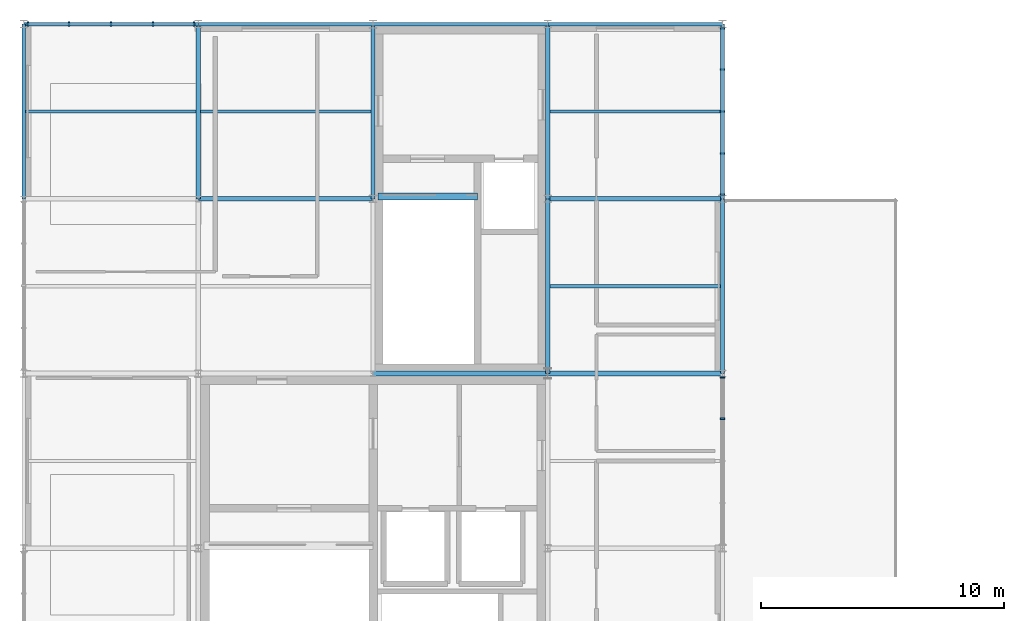
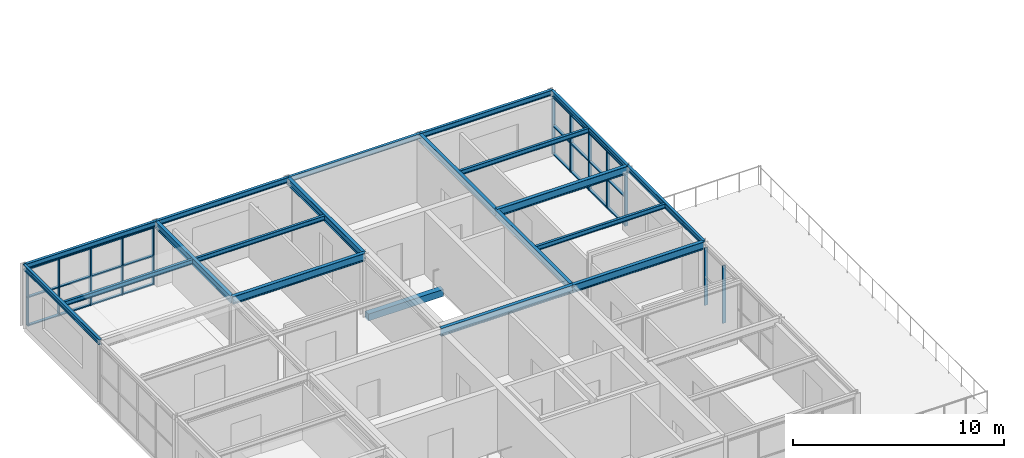
# One storey, part 5 of 12: 20 beams, 18 members, 3 elements without a shape of their own.
"""IFC4 building model written with IfcOpenShell, lengths in metres."""

from ifc_helpers import new_model, si_unit, direction, frame, origin, origin_2d, place, context, subcontext, project, spatial, rectangle, i_section, extrude, material, material_profile, profile_set, type_object, element, aggregate, save


model = new_model("IFC4")

# Units and contexts
model_context = context("Model", 3, precision=1e-05, world=origin(), true_north=direction((0.0, 1.0)))
body_context = subcontext(model_context, "Body", "Model", "MODEL_VIEW")
ifc_project = project(units=[si_unit("LENGTHUNIT", "METRE"), si_unit("AREAUNIT", "SQUARE_METRE"), si_unit("VOLUMEUNIT", "CUBIC_METRE"), si_unit("PLANEANGLEUNIT", "RADIAN"), si_unit("MASSUNIT", "GRAM", prefix="KILO")], contexts=[model_context])

# Site, building, storey
site_placement = place(None, origin())
site = spatial("IfcSite", under=ifc_project, at=site_placement, CompositionType="ELEMENT")
building_placement = place(site_placement, origin())
building = spatial("IfcBuilding", under=site, at=building_placement, Name="Leyfeld Transit Interchange", CompositionType="ELEMENT")
storey_placement = place(building_placement, frame((0.0, 0.0, 21.60009765625)))
storey = spatial("IfcBuildingStorey", under=building, at=storey_placement, Name="L05", CompositionType="ELEMENT", Elevation=21.60009765625)

# Beams
ifc_material_1 = material(Name="Concrete C35/45", Category="concrete")
ifc_material_profile_1 = material_profile(ifc_material_1, rectangle(XDim=0.300048828125, YDim=0.39990234375, at=origin_2d()), Name="RC 400x300")
ifc_profile_set_1 = profile_set([ifc_material_profile_1], Name="Concrete C35/45")
beam_type_1 = type_object("IfcBeamType", Name="BM-RC-400x300", PredefinedType="LINTEL", material=ifc_profile_set_1)
beam_1_placement = place(storey_placement, frame((14.60009765625, 115.300048828125, -0.2001953125), z_axis=(1.0, 0.0, 0.0), x_axis=(0.0, 1.0, 0.0)))
element("IfcBeam", 1, at=beam_1_placement, inside=storey, type_object=beam_type_1, Name="Core K2 Floor Landing Corbel L05", PredefinedType="LINTEL", context=body_context, shape_type="SweptSolid", body=[
    extrude(rectangle(XDim=0.300048828125, YDim=0.39990234375, at=origin_2d()), origin(), (0.0, 0.0, 1.0), 4.099853515625),
])
ifc_material_2 = material(Name="Steel S355J2", Category="steel")
ifc_material_profile_2 = material_profile(ifc_material_2, i_section(OverallWidth=0.135009765625, OverallDepth=0.27001953125, WebThickness=0.006591796875, FlangeThickness=0.01025390625, FilletRadius=0.014892578125, at=origin_2d()), Name="IPE 270")
ifc_profile_set_2 = profile_set([ifc_material_profile_2], Name="Steel S355J2")
beam_type_2 = type_object("IfcBeamType", Name="BM-STL-IPE270", PredefinedType="BEAM", material=ifc_profile_set_2)
for number, where, z_axis, x_axis, name in (
    (2, (21.68701171875, 111.60009765625, 3.48486328125), (1.0, 0.0, 0.0), (0.0, 1.0, 0.0), "Beam BM-L05-0217_1116-0287_1116"),
    (3, (0.072021484375, 118.800048828125, 3.48486328125), (1.0, 0.0, 0.0), (0.0, 1.0, 0.0), "Beam BM-L05-0001_1188-0071_1188"),
):
    element("IfcBeam", number, at=place(storey_placement, frame(where, z_axis=z_axis, x_axis=x_axis)), inside=storey, type_object=beam_type_2, Name=name, PredefinedType="BEAM", context=body_context, shape_type="SweptSolid", body=[
        extrude(i_section(OverallWidth=0.135009765625, OverallDepth=0.27001953125, WebThickness=0.006591796875, FlangeThickness=0.01025390625, FilletRadius=0.014892578125, at=origin_2d()), origin(), (0.0, 0.0, 1.0), 7.041015625),
    ])
beam_2_placement = place(storey_placement, frame((7.287109375, 118.800048828125, 3.48486328125), z_axis=(1.0, 0.0, 0.0), x_axis=(0.0, 1.0, 0.0)))
element("IfcBeam", 4, at=beam_2_placement, inside=storey, type_object=beam_type_2, Name="Beam BM-L05-0073_1188-0143_1188", PredefinedType="BEAM", context=body_context, shape_type="SweptSolid", body=[
    extrude(i_section(OverallWidth=0.135009765625, OverallDepth=0.27001953125, WebThickness=0.006591796875, FlangeThickness=0.01025390625, FilletRadius=0.014892578125, at=origin_2d()), origin(), (0.0, 0.0, 1.0), 7.02587890625),
])
beam_3_placement = place(storey_placement, frame((21.68701171875, 118.800048828125, 3.48486328125), z_axis=(1.0, 0.0, 0.0), x_axis=(0.0, 1.0, 0.0)))
element("IfcBeam", 5, at=beam_3_placement, inside=storey, type_object=beam_type_2, Name="Beam BM-L05-0217_1188-0287_1188", PredefinedType="BEAM", context=body_context, shape_type="SweptSolid", body=[
    extrude(i_section(OverallWidth=0.135009765625, OverallDepth=0.27001953125, WebThickness=0.006591796875, FlangeThickness=0.01025390625, FilletRadius=0.014892578125, at=origin_2d()), origin(), (0.0, 0.0, 1.0), 7.041015625),
])
ifc_material_profile_3 = material_profile(ifc_material_2, i_section(OverallWidth=0.14990234375, OverallDepth=0.300048828125, WebThickness=0.007080078125, FlangeThickness=0.0107421875, FilletRadius=0.014892578125, at=origin_2d()), Name="IPE 300")
ifc_profile_set_3 = profile_set([ifc_material_profile_3], Name="Steel S355J2")
beam_type_3 = type_object("IfcBeamType", Name="BM-STL-IPE300", PredefinedType="SPANDREL", material=ifc_profile_set_3)
for number, where, z_axis, x_axis, name in (
    (6, (0.0, 115.199951171875, 3.469970703125), (0.0, 1.0, 0.0), (-1.0, 0.0, 0.0), "Beam BM-L05-0000_1152-0000_1224"),
    (7, (28.800048828125, 108.0, 3.469970703125), (0.0, 1.0, 0.0), (-1.0, 0.0, 0.0), "Beam BM-L05-0288_1080-0288_1152"),
    (8, (28.800048828125, 115.199951171875, 3.469970703125), (0.0, 1.0, 0.0), (-1.0, 0.0, 0.0), "Beam BM-L05-0288_1152-0288_1224"),
    (9, (0.0, 122.39990234375, 3.469970703125), (1.0, 0.0, 0.0), (0.0, 1.0, 0.0), "Beam BM-L05-0000_1224-0072_1224"),
    (10, (7.199951171875, 122.39990234375, 3.469970703125), (1.0, 0.0, 0.0), (0.0, 1.0, 0.0), "Beam BM-L05-0072_1224-0144_1224"),
):
    element("IfcBeam", number, at=place(storey_placement, frame(where, z_axis=z_axis, x_axis=x_axis)), inside=storey, type_object=beam_type_3, Name=name, PredefinedType="SPANDREL", context=body_context, shape_type="SweptSolid", body=[
        extrude(i_section(OverallWidth=0.14990234375, OverallDepth=0.300048828125, WebThickness=0.007080078125, FlangeThickness=0.0107421875, FilletRadius=0.014892578125, at=origin_2d()), origin(), (0.0, 0.0, 1.0), 7.199951171875),
    ])
beam_4_placement = place(storey_placement, frame((14.39990234375, 122.39990234375, 3.469970703125), z_axis=(1.0, 0.0, 0.0), x_axis=(0.0, 1.0, 0.0)))
element("IfcBeam", 11, at=beam_4_placement, inside=storey, type_object=beam_type_3, Name="Beam BM-L05-0144_1224-0216_1224", PredefinedType="SPANDREL", context=body_context, shape_type="SweptSolid", body=[
    extrude(i_section(OverallWidth=0.14990234375, OverallDepth=0.300048828125, WebThickness=0.007080078125, FlangeThickness=0.0107421875, FilletRadius=0.014892578125, at=origin_2d()), origin(), (0.0, 0.0, 1.0), 7.2001953125),
])
beam_5_placement = place(storey_placement, frame((21.60009765625, 122.39990234375, 3.469970703125), z_axis=(1.0, 0.0, 0.0), x_axis=(0.0, 1.0, 0.0)))
element("IfcBeam", 12, at=beam_5_placement, inside=storey, type_object=beam_type_3, Name="Beam BM-L05-0216_1224-0288_1224", PredefinedType="SPANDREL", context=body_context, shape_type="SweptSolid", body=[
    extrude(i_section(OverallWidth=0.14990234375, OverallDepth=0.300048828125, WebThickness=0.007080078125, FlangeThickness=0.0107421875, FilletRadius=0.014892578125, at=origin_2d()), origin(), (0.0, 0.0, 1.0), 7.199951171875),
])
ifc_material_profile_4 = material_profile(ifc_material_2, i_section(OverallWidth=0.179931640625, OverallDepth=0.39990234375, WebThickness=0.008544921875, FlangeThickness=0.013427734375, FilletRadius=0.02099609375, at=origin_2d()), Name="IPE 400")
ifc_profile_set_4 = profile_set([ifc_material_profile_4], Name="Steel S355J2")
beam_type_4 = type_object("IfcBeamType", Name="BM-STL-IPE400", PredefinedType="BEAM", material=ifc_profile_set_4)
for number, where, z_axis, x_axis, name in (
    (13, (7.199951171875, 115.199951171875, 3.419921875), (0.0, 1.0, 0.0), (-1.0, 0.0, 0.0), "Beam BM-L05-0072_1152-0072_1224"),
    (14, (14.39990234375, 115.199951171875, 3.419921875), (0.0, 1.0, 0.0), (-1.0, 0.0, 0.0), "Beam BM-L05-0144_1152-0144_1224"),
    (15, (21.60009765625, 108.0, 3.419921875), (0.0, 1.0, 0.0), (-1.0, 0.0, 0.0), "Beam BM-L05-0216_1080-0216_1152"),
    (16, (21.60009765625, 115.199951171875, 3.419921875), (0.0, 1.0, 0.0), (-1.0, 0.0, 0.0), "Beam BM-L05-0216_1152-0216_1224"),
):
    element("IfcBeam", number, at=place(storey_placement, frame(where, z_axis=z_axis, x_axis=x_axis)), inside=storey, type_object=beam_type_4, Name=name, PredefinedType="BEAM", context=body_context, shape_type="SweptSolid", body=[
        extrude(i_section(OverallWidth=0.179931640625, OverallDepth=0.39990234375, WebThickness=0.008544921875, FlangeThickness=0.013427734375, FilletRadius=0.02099609375, at=origin_2d()), origin(), (0.0, 0.0, 1.0), 7.199951171875),
    ])
ifc_material_profile_5 = material_profile(ifc_material_2, i_section(OverallWidth=0.18994140625, OverallDepth=0.449951171875, WebThickness=0.009521484375, FlangeThickness=0.0146484375, FilletRadius=0.02099609375, at=origin_2d()), Name="IPE 450")
ifc_profile_set_5 = profile_set([ifc_material_profile_5], Name="Steel S355J2")
beam_type_5 = type_object("IfcBeamType", Name="BM-STL-IPE450", PredefinedType="BEAM", material=ifc_profile_set_5)
beam_6_placement = place(storey_placement, frame((14.39990234375, 108.0, 3.39501953125), z_axis=(1.0, 0.0, 0.0), x_axis=(0.0, 1.0, 0.0)))
element("IfcBeam", 17, at=beam_6_placement, inside=storey, type_object=beam_type_5, Name="Beam BM-L05-0144_1080-0216_1080", PredefinedType="BEAM", context=body_context, shape_type="SweptSolid", body=[
    extrude(i_section(OverallWidth=0.18994140625, OverallDepth=0.449951171875, WebThickness=0.009521484375, FlangeThickness=0.0146484375, FilletRadius=0.02099609375, at=origin_2d()), origin(), (0.0, 0.0, 1.0), 7.2001953125),
])
for number, where, z_axis, x_axis, name in (
    (18, (21.60009765625, 108.0, 3.39501953125), (1.0, 0.0, 0.0), (0.0, 1.0, 0.0), "Beam BM-L05-0216_1080-0288_1080"),
    (19, (7.199951171875, 115.199951171875, 3.39501953125), (1.0, 0.0, 0.0), (0.0, 1.0, 0.0), "Beam BM-L05-0072_1152-0144_1152"),
    (20, (21.60009765625, 115.199951171875, 3.39501953125), (1.0, 0.0, 0.0), (0.0, 1.0, 0.0), "Beam BM-L05-0216_1152-0288_1152"),
):
    element("IfcBeam", number, at=place(storey_placement, frame(where, z_axis=z_axis, x_axis=x_axis)), inside=storey, type_object=beam_type_5, Name=name, PredefinedType="BEAM", context=body_context, shape_type="SweptSolid", body=[
        extrude(i_section(OverallWidth=0.18994140625, OverallDepth=0.449951171875, WebThickness=0.009521484375, FlangeThickness=0.0146484375, FilletRadius=0.02099609375, at=origin_2d()), origin(), (0.0, 0.0, 1.0), 7.199951171875),
    ])

# Curtain wall, members
ifc_material_3 = material(Name="Anodised aluminium EN AW-6060 T66", Category="aluminium")
curtain_wall_type = type_object("IfcCurtainWallType", Name="CW-SYS-OPS-7200", PredefinedType="NOTDEFINED", material=ifc_material_3)
curtain_wall_1_placement = place(storey_placement, origin())
curtain_wall_1 = element("IfcCurtainWall", 21, at=curtain_wall_1_placement, inside=storey, type_object=curtain_wall_type, Name="Curtain Wall CW-L05-147", PredefinedType="NOTDEFINED")
ifc_material_profile_6 = material_profile(ifc_material_3, rectangle(XDim=0.06494140625, YDim=0.179931640625, at=origin_2d()), Name="CW-M 65x180")
ifc_profile_set_6 = profile_set([ifc_material_profile_6], Name="Anodised aluminium EN AW-6060 T66")
member_type_1 = type_object("IfcMemberType", Name="CW-MUL-150x65", PredefinedType="MULLION", material=ifc_profile_set_6)
member_1_placement = place(storey_placement, frame((0.172607421875, 122.39990234375, 0.0), z_axis=(0.0, 0.0, 1.0), x_axis=(1.0, 0.0, 0.0)))
member_1 = element("IfcMember", 22, at=member_1_placement, type_object=member_type_1, Name="Curtain Mullion CW-L05-147-M01", PredefinedType="MULLION", context=body_context, shape_type="SweptSolid", body=[
    extrude(rectangle(XDim=0.06494140625, YDim=0.179931640625, at=origin_2d()), origin(), (0.0, 0.0, 1.0), 3.31982421875),
])
member_2_placement = place(storey_placement, frame((1.8701171875, 122.39990234375, 0.0), z_axis=(0.0, 0.0, 1.0), x_axis=(1.0, 0.0, 0.0)))
member_2 = element("IfcMember", 23, at=member_2_placement, type_object=member_type_1, Name="Curtain Mullion CW-L05-147-M02", PredefinedType="MULLION", context=body_context, shape_type="SweptSolid", body=[
    extrude(rectangle(XDim=0.06494140625, YDim=0.179931640625, at=origin_2d()), origin(), (0.0, 0.0, 1.0), 3.31982421875),
])
member_3_placement = place(storey_placement, frame((3.60009765625, 122.39990234375, 0.0), z_axis=(0.0, 0.0, 1.0), x_axis=(1.0, 0.0, 0.0)))
member_3 = element("IfcMember", 24, at=member_3_placement, type_object=member_type_1, Name="Curtain Mullion CW-L05-147-M03", PredefinedType="MULLION", context=body_context, shape_type="SweptSolid", body=[
    extrude(rectangle(XDim=0.06494140625, YDim=0.179931640625, at=origin_2d()), origin(), (0.0, 0.0, 1.0), 3.31982421875),
])
member_4_placement = place(storey_placement, frame((5.330078125, 122.39990234375, 0.0), z_axis=(0.0, 0.0, 1.0), x_axis=(1.0, 0.0, 0.0)))
member_4 = element("IfcMember", 25, at=member_4_placement, type_object=member_type_1, Name="Curtain Mullion CW-L05-147-M04", PredefinedType="MULLION", context=body_context, shape_type="SweptSolid", body=[
    extrude(rectangle(XDim=0.06494140625, YDim=0.179931640625, at=origin_2d()), origin(), (0.0, 0.0, 1.0), 3.31982421875),
])
member_5_placement = place(storey_placement, frame((7.027587890625, 122.39990234375, 0.0), z_axis=(0.0, 0.0, 1.0), x_axis=(1.0, 0.0, 0.0)))
member_5 = element("IfcMember", 26, at=member_5_placement, type_object=member_type_1, Name="Curtain Mullion CW-L05-147-M05", PredefinedType="MULLION", context=body_context, shape_type="SweptSolid", body=[
    extrude(rectangle(XDim=0.06494140625, YDim=0.179931640625, at=origin_2d()), origin(), (0.0, 0.0, 1.0), 3.31982421875),
])

curtain_wall_2_placement = place(storey_placement, origin())
curtain_wall_2 = element("IfcCurtainWall", 27, at=curtain_wall_2_placement, inside=storey, type_object=curtain_wall_type, Name="Curtain Wall CW-L05-148", PredefinedType="NOTDEFINED")
member_6_placement = place(storey_placement, frame((28.800048828125, 122.2275390625, 0.0), z_axis=(0.0, 0.0, 1.0), x_axis=(0.0, -1.0, 0.0)))
member_6 = element("IfcMember", 28, at=member_6_placement, type_object=member_type_1, Name="Curtain Mullion CW-L05-148-M01", PredefinedType="MULLION", context=body_context, shape_type="SweptSolid", body=[
    extrude(rectangle(XDim=0.06494140625, YDim=0.179931640625, at=origin_2d()), origin(), (0.0, 0.0, 1.0), 3.31982421875),
])
member_7_placement = place(storey_placement, frame((28.800048828125, 120.530029296875, 0.0), z_axis=(0.0, 0.0, 1.0), x_axis=(0.0, -1.0, 0.0)))
member_7 = element("IfcMember", 29, at=member_7_placement, type_object=member_type_1, Name="Curtain Mullion CW-L05-148-M02", PredefinedType="MULLION", context=body_context, shape_type="SweptSolid", body=[
    extrude(rectangle(XDim=0.06494140625, YDim=0.179931640625, at=origin_2d()), origin(), (0.0, 0.0, 1.0), 3.31982421875),
])
member_8_placement = place(storey_placement, frame((28.800048828125, 118.800048828125, 0.0), z_axis=(0.0, 0.0, 1.0), x_axis=(0.0, -1.0, 0.0)))
member_8 = element("IfcMember", 30, at=member_8_placement, type_object=member_type_1, Name="Curtain Mullion CW-L05-148-M03", PredefinedType="MULLION", context=body_context, shape_type="SweptSolid", body=[
    extrude(rectangle(XDim=0.06494140625, YDim=0.179931640625, at=origin_2d()), origin(), (0.0, 0.0, 1.0), 3.31982421875),
])
member_9_placement = place(storey_placement, frame((28.800048828125, 117.070068359375, 0.0), z_axis=(0.0, 0.0, 1.0), x_axis=(0.0, -1.0, 0.0)))
member_9 = element("IfcMember", 31, at=member_9_placement, type_object=member_type_1, Name="Curtain Mullion CW-L05-148-M04", PredefinedType="MULLION", context=body_context, shape_type="SweptSolid", body=[
    extrude(rectangle(XDim=0.06494140625, YDim=0.179931640625, at=origin_2d()), origin(), (0.0, 0.0, 1.0), 3.31982421875),
])
member_10_placement = place(storey_placement, frame((28.800048828125, 115.37255859375, 0.0), z_axis=(0.0, 0.0, 1.0), x_axis=(0.0, -1.0, 0.0)))
member_10 = element("IfcMember", 32, at=member_10_placement, type_object=member_type_1, Name="Curtain Mullion CW-L05-148-M05", PredefinedType="MULLION", context=body_context, shape_type="SweptSolid", body=[
    extrude(rectangle(XDim=0.06494140625, YDim=0.179931640625, at=origin_2d()), origin(), (0.0, 0.0, 1.0), 3.31982421875),
])

curtain_wall_3_placement = place(storey_placement, origin())
curtain_wall_3 = element("IfcCurtainWall", 33, at=curtain_wall_3_placement, inside=storey, type_object=curtain_wall_type, Name="Curtain Wall CW-L05-149", PredefinedType="NOTDEFINED")
member_11_placement = place(storey_placement, frame((28.800048828125, 107.83740234375, 0.0), z_axis=(0.0, 0.0, 1.0), x_axis=(0.0, -1.0, 0.0)))
member_11 = element("IfcMember", 34, at=member_11_placement, type_object=member_type_1, Name="Curtain Mullion CW-L05-149-M01", PredefinedType="MULLION", context=body_context, shape_type="SweptSolid", body=[
    extrude(rectangle(XDim=0.06494140625, YDim=0.179931640625, at=origin_2d()), origin(), (0.0, 0.0, 1.0), 3.31982421875),
])
member_12_placement = place(storey_placement, frame((28.800048828125, 106.13623046875, 0.0), z_axis=(0.0, 0.0, 1.0), x_axis=(0.0, -1.0, 0.0)))
member_12 = element("IfcMember", 35, at=member_12_placement, type_object=member_type_1, Name="Curtain Mullion CW-L05-149-M02", PredefinedType="MULLION", context=body_context, shape_type="SweptSolid", body=[
    extrude(rectangle(XDim=0.06494140625, YDim=0.179931640625, at=origin_2d()), origin(), (0.0, 0.0, 1.0), 3.31982421875),
])
aggregate(curtain_wall_3, [member_11, member_12])

# Member
ifc_material_profile_7 = material_profile(ifc_material_3, rectangle(XDim=0.14990234375, YDim=0.06494140625, at=origin_2d()), Name="CW-TRN-135x65")
ifc_profile_set_7 = profile_set([ifc_material_profile_7], Name="Anodised aluminium EN AW-6060 T66")
member_type_2 = type_object("IfcMemberType", Name="CW-TRN-135x65", PredefinedType="USERDEFINED", material=ifc_profile_set_7)
member_13_placement = place(storey_placement, frame((0.139892578125, 122.39990234375, 0.032470703125), z_axis=(1.0, 0.0, 0.0), x_axis=(0.0, 1.0, 0.0)))
member_13 = element("IfcMember", 36, at=member_13_placement, type_object=member_type_2, Name="Curtain Transom CW-L05-147-T01", ObjectType="TRANSOM", PredefinedType="USERDEFINED", context=body_context, shape_type="SweptSolid", body=[
    extrude(rectangle(XDim=0.14990234375, YDim=0.06494140625, at=origin_2d()), origin(), (0.0, 0.0, 1.0), 6.920166015625),
])

member_14_placement = place(storey_placement, frame((0.139892578125, 122.39990234375, 1.659912109375), z_axis=(1.0, 0.0, 0.0), x_axis=(0.0, 1.0, 0.0)))
member_14 = element("IfcMember", 37, at=member_14_placement, type_object=member_type_2, Name="Curtain Transom CW-L05-147-T02", ObjectType="TRANSOM", PredefinedType="USERDEFINED", context=body_context, shape_type="SweptSolid", body=[
    extrude(rectangle(XDim=0.14990234375, YDim=0.06494140625, at=origin_2d()), origin(), (0.0, 0.0, 1.0), 6.920166015625),
])

member_15_placement = place(storey_placement, frame((0.139892578125, 122.39990234375, 3.287353515625), z_axis=(1.0, 0.0, 0.0), x_axis=(0.0, 1.0, 0.0)))
member_15 = element("IfcMember", 38, at=member_15_placement, type_object=member_type_2, Name="Curtain Transom CW-L05-147-T03", ObjectType="TRANSOM", PredefinedType="USERDEFINED", context=body_context, shape_type="SweptSolid", body=[
    extrude(rectangle(XDim=0.14990234375, YDim=0.06494140625, at=origin_2d()), origin(), (0.0, 0.0, 1.0), 6.920166015625),
])

aggregate(curtain_wall_1, [member_1, member_2, member_3, member_4, member_5, member_13, member_14, member_15])

member_16_placement = place(storey_placement, frame((28.800048828125, 122.260009765625, 0.032470703125), z_axis=(0.0, -1.0, 0.0), x_axis=(1.0, 0.0, 0.0)))
member_16 = element("IfcMember", 39, at=member_16_placement, type_object=member_type_2, Name="Curtain Transom CW-L05-148-T01", ObjectType="TRANSOM", PredefinedType="USERDEFINED", context=body_context, shape_type="SweptSolid", body=[
    extrude(rectangle(XDim=0.14990234375, YDim=0.06494140625, at=origin_2d()), origin(), (0.0, 0.0, 1.0), 6.919921875),
])

member_17_placement = place(storey_placement, frame((28.800048828125, 122.260009765625, 1.659912109375), z_axis=(0.0, -1.0, 0.0), x_axis=(1.0, 0.0, 0.0)))
member_17 = element("IfcMember", 40, at=member_17_placement, type_object=member_type_2, Name="Curtain Transom CW-L05-148-T02", ObjectType="TRANSOM", PredefinedType="USERDEFINED", context=body_context, shape_type="SweptSolid", body=[
    extrude(rectangle(XDim=0.14990234375, YDim=0.06494140625, at=origin_2d()), origin(), (0.0, 0.0, 1.0), 6.919921875),
])

member_18_placement = place(storey_placement, frame((28.800048828125, 122.260009765625, 3.287353515625), z_axis=(0.0, -1.0, 0.0), x_axis=(1.0, 0.0, 0.0)))
member_18 = element("IfcMember", 41, at=member_18_placement, type_object=member_type_2, Name="Curtain Transom CW-L05-148-T03", ObjectType="TRANSOM", PredefinedType="USERDEFINED", context=body_context, shape_type="SweptSolid", body=[
    extrude(rectangle(XDim=0.14990234375, YDim=0.06494140625, at=origin_2d()), origin(), (0.0, 0.0, 1.0), 6.919921875),
])

aggregate(curtain_wall_2, [member_6, member_7, member_8, member_9, member_10, member_16, member_17, member_18])

save(model, "model.ifc")
